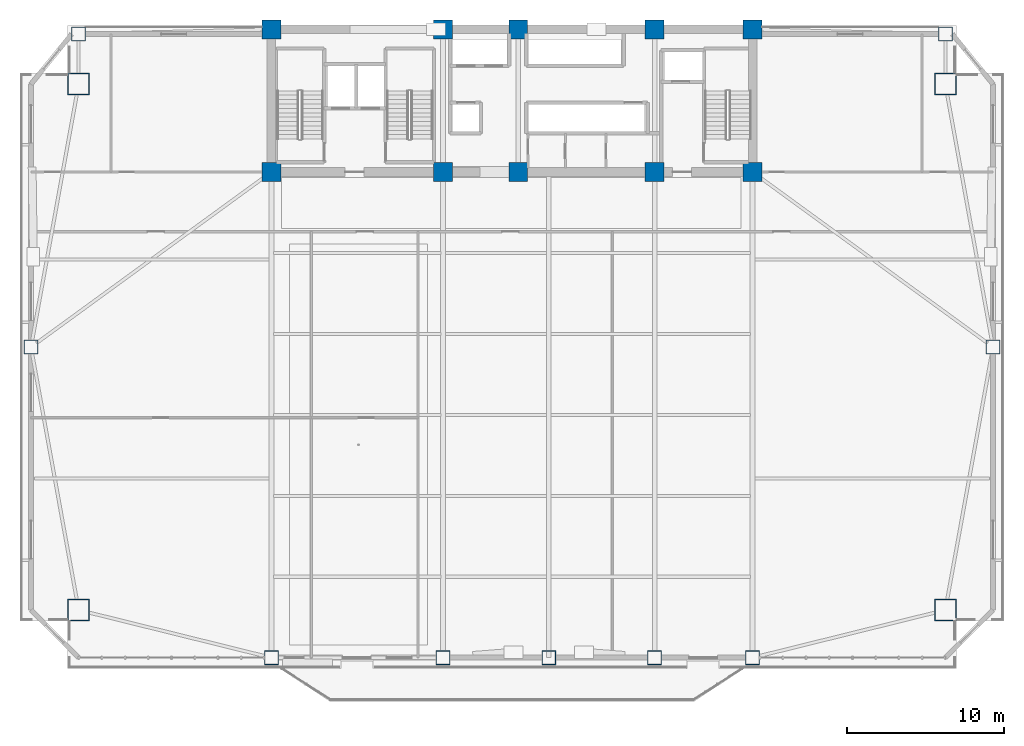
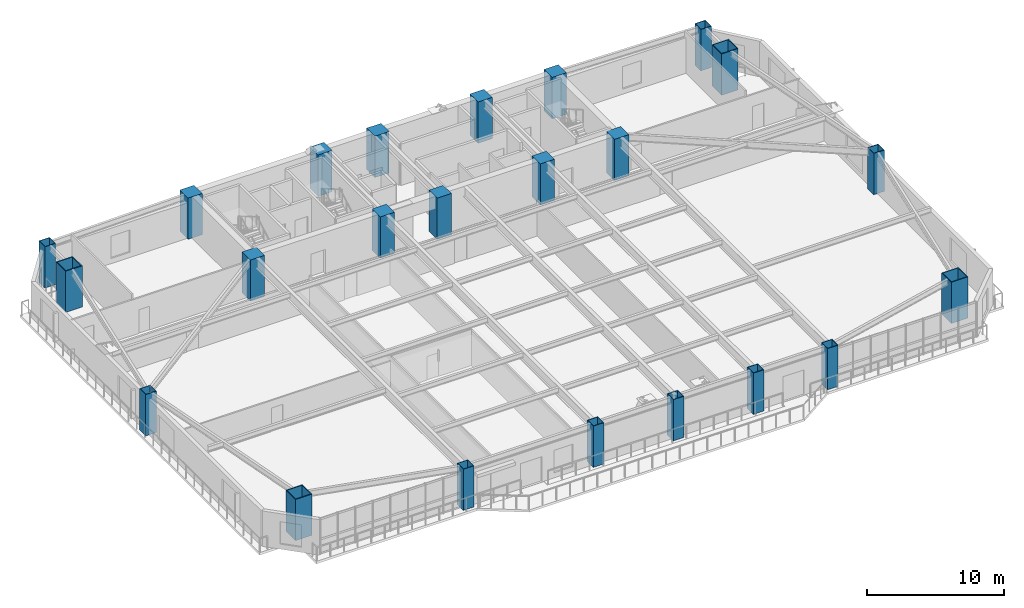
# One storey, part 1 of 15: 23 columns.
"""IFC4 building model written with IfcOpenShell, lengths in metres."""

import ifcopenshell
import ifcopenshell.guid

model = None  # the IFC model being written
_history = None  # IfcOwnerHistory: only IFC2X3 demands one
_inside = {}  # id of a spatial element -> (the spatial element, [elements in it])
_under = {}  # id of a project, library or spatial element -> (it, [spatial elements below it])
_declared = {}  # id of a project -> (the project, [libraries it declares])
_typed = {}  # id of a type object -> (the type object, [elements of that type])
_made_of = {}  # id of a material, layer set ... -> (it, [elements and type objects made of it])


def new_model(schema):
    """Start an empty IFC model of exactly this schema.

    Asked for "IFC4X3", IfcOpenShell would pick the latest addendum, in which some entities
    have other attributes; the version numbers below select the first issue.
    IFC2X3 requires an IfcOwnerHistory on every rooted entity: one is made here for all.
    """
    global model, _history
    if schema == "IFC4X3":
        model = ifcopenshell.file(schema_version=(4, 3, 0, 0))
    else:
        model = ifcopenshell.file(schema=schema)
    _inside.clear()
    _under.clear()
    _declared.clear()
    _typed.clear()
    _made_of.clear()
    _history = None
    if model.schema == "IFC2X3":
        org = make("IfcOrganization", Name="unknown")
        user = make(
            "IfcPersonAndOrganization",
            ThePerson=make("IfcPerson", FamilyName="unknown"),
            TheOrganization=org,
        )
        app = make(
            "IfcApplication",
            ApplicationDeveloper=org,
            Version="unknown",
            ApplicationFullName="unknown",
            ApplicationIdentifier="unknown",
        )
        _history = make(
            "IfcOwnerHistory",
            OwningUser=user,
            OwningApplication=app,
            ChangeAction="ADDED",
            CreationDate=0,
        )
    return model


def make(cls, **values):
    """One entity of the class cls with the attributes given. An attribute that is None is left unset."""
    return model.create_entity(
        cls, **{name: value for name, value in values.items() if value is not None}
    )


def rooted(cls, **values):
    """An entity with a GlobalId (a new one), such as an element, a storey or a relation."""
    return make(cls, GlobalId=ifcopenshell.guid.new(), OwnerHistory=_history, **values)


def si_unit(unit_type, name, prefix=None):
    """IfcSIUnit, for example si_unit("LENGTHUNIT", "METRE", prefix="MILLI")."""
    return make("IfcSIUnit", UnitType=unit_type, Prefix=prefix, Name=name)


def assignment(units):
    """IfcUnitAssignment: the units of a project."""
    return None if units is None else make("IfcUnitAssignment", Units=units)


def point(xyz):
    """IfcCartesianPoint."""
    return None if xyz is None else make("IfcCartesianPoint", Coordinates=xyz)


def direction(xyz):
    """IfcDirection."""
    return None if xyz is None else make("IfcDirection", DirectionRatios=xyz)


def frame(location, z_axis=None, x_axis=None):
    """IfcAxis2Placement3D, a coordinate frame: its origin and axes. An axis left out is left unset."""
    return make(
        "IfcAxis2Placement3D",
        Location=point(location),
        Axis=direction(z_axis),
        RefDirection=direction(x_axis),
    )


def frame_2d(location, x_axis=None):
    """IfcAxis2Placement2D, a coordinate frame in the plane: its origin and x axis."""
    return make(
        "IfcAxis2Placement2D", Location=point(location), RefDirection=direction(x_axis)
    )


def origin():
    """The frame at (0, 0, 0) with its axes left unset."""
    return frame((0.0, 0.0, 0.0))


def origin_2d():
    """The frame at (0, 0) in the plane with its x axis left unset."""
    return frame_2d((0.0, 0.0))


def place(relative_to, where):
    """IfcLocalPlacement: puts the frame where relative to a parent placement (None: the world)."""
    return make(
        "IfcLocalPlacement", PlacementRelTo=relative_to, RelativePlacement=where
    )


def context(
    kind, dimensions, precision=None, world=None, true_north=None, identifier=None
):
    """IfcGeometricRepresentationContext, for example the 3D "Model" context."""
    return make(
        "IfcGeometricRepresentationContext",
        ContextIdentifier=identifier,
        ContextType=kind,
        CoordinateSpaceDimension=dimensions,
        Precision=precision,
        WorldCoordinateSystem=world,
        TrueNorth=true_north,
    )


def subcontext(parent, identifier, kind, view, scale=None):
    """IfcGeometricRepresentationSubContext, for example "Body" below "Model"."""
    return make(
        "IfcGeometricRepresentationSubContext",
        ContextIdentifier=identifier,
        ContextType=kind,
        ParentContext=parent,
        TargetScale=scale,
        TargetView=view,
    )


def project(units=None, contexts=None):
    """IfcProject with its units and contexts."""
    return rooted(
        "IfcProject",
        Name="project",
        RepresentationContexts=contexts,
        UnitsInContext=assignment(units),
    )


def spatial(cls, under=None, at=None, **own):
    """A site, building, storey or space (cls), placed at a placement, below another one or the project."""
    s = rooted(cls, ObjectPlacement=at, **own)
    if under is not None:
        _under.setdefault(under.id(), (under, []))[1].append(s)
    return s


def profile(cls, at=None, kind="AREA", **sizes):
    """A parametric profile (cls). Its sizes go by their IFC names, for example OverallWidth=200.0."""
    return make(cls, ProfileType=kind, Position=at, **sizes)


def rectangle(**sizes):
    """IfcRectangleProfileDef."""
    return profile("IfcRectangleProfileDef", **sizes)


def hollow_rectangle(**sizes):
    """IfcRectangleHollowProfileDef."""
    return profile("IfcRectangleHollowProfileDef", **sizes)


def extrude(swept, where, along, depth):
    """IfcExtrudedAreaSolid: the profile swept, set in the frame where, extruded along a direction by depth."""
    return make(
        "IfcExtrudedAreaSolid",
        SweptArea=swept,
        Position=where,
        ExtrudedDirection=direction(along),
        Depth=depth,
    )


def shape(context_of_items, identifier, shape_type, items):
    """IfcShapeRepresentation: the items that make up one representation, for example the "Body"."""
    return make(
        "IfcShapeRepresentation",
        ContextOfItems=context_of_items,
        RepresentationIdentifier=identifier,
        RepresentationType=shape_type,
        Items=items,
    )


def source(mapping_origin, context_of_items, identifier, shape_type, items):
    """IfcRepresentationMap: a shape defined once, which mapped items show again and again."""
    return make(
        "IfcRepresentationMap",
        MappingOrigin=mapping_origin,
        MappedRepresentation=shape(context_of_items, identifier, shape_type, items),
    )


def transform(
    local_origin,
    x_axis=None,
    y_axis=None,
    z_axis=None,
    scale=None,
    scale2=None,
    scale3=None,
    uniform=True,
):
    """IfcCartesianTransformationOperator3D, or its non-uniform kind. x_axis, y_axis, z_axis: its Axis1, 2, 3."""
    if uniform:
        return make(
            "IfcCartesianTransformationOperator3D",
            Axis1=direction(x_axis),
            Axis2=direction(y_axis),
            LocalOrigin=point(local_origin),
            Scale=scale,
            Axis3=direction(z_axis),
        )
    return make(
        "IfcCartesianTransformationOperator3DnonUniform",
        Axis1=direction(x_axis),
        Axis2=direction(y_axis),
        LocalOrigin=point(local_origin),
        Scale=scale,
        Axis3=direction(z_axis),
        Scale2=scale2,
        Scale3=scale3,
    )


def mapped(mapping_source, mapping_target):
    """IfcMappedItem: shows the shape of a source again, moved by a transform."""
    return make(
        "IfcMappedItem", MappingSource=mapping_source, MappingTarget=mapping_target
    )


def material(Name=None, Category=None):
    """IfcMaterial."""
    return make("IfcMaterial", Name=Name, Category=Category)


def material_profile(
    of_material, cross_section, Name=None, Category=None, Priority=None
):
    """IfcMaterialProfile: a cross section and its material."""
    return make(
        "IfcMaterialProfile",
        Name=Name,
        Material=of_material,
        Profile=cross_section,
        Priority=Priority,
        Category=Category,
    )


def profile_set(profiles, Name=None, composite=None):
    """IfcMaterialProfileSet."""
    return make(
        "IfcMaterialProfileSet",
        Name=Name,
        MaterialProfiles=profiles,
        CompositeProfile=composite,
    )


def made_of(thing, what):
    """Note that an element or type object is made of a material, layer set ...; save() writes the relation."""
    if what is not None:
        _made_of.setdefault(what.id(), (what, []))[1].append(thing)
    return thing


def type_object(cls, material=None, **own):
    """A type object (cls), such as IfcWallType, which elements share."""
    return made_of(rooted(cls, **own), material)


def element(
    cls,
    number,
    at=None,
    inside=None,
    cuts=None,
    type_object=None,
    material=None,
    context=None,
    identifier="Body",
    shape_type=None,
    held_by="IfcProductDefinitionShape",
    body=None,
    shapes=None,
    **own,
):
    """One element of the class cls, such as IfcWall. Its Tag is "e" and its number.

    at: its placement. inside: the storey or other place that contains it. cuts: it is an
    opening in that element (IfcRelVoidsElement). A single representation is given by context,
    identifier, shape_type and body (its items); several are given by shapes. held_by: the class
    of the entity that holds the representations. save() writes the other relations.
    """
    e = rooted(cls, Tag="e%d" % number, ObjectPlacement=at, **own)
    if body is not None:
        shapes = [shape(context, identifier, shape_type, body)]
    if shapes is not None:
        e.Representation = make(held_by, Representations=shapes)
    if inside is not None:
        _inside.setdefault(inside.id(), (inside, []))[1].append(e)
    if cuts is not None:
        rooted(
            "IfcRelVoidsElement", RelatingBuildingElement=cuts, RelatedOpeningElement=e
        )
    if type_object is not None:
        _typed.setdefault(type_object.id(), (type_object, []))[1].append(e)
    return made_of(e, material)


def aggregate(whole, parts):
    """IfcRelAggregates: a whole, such as a stair, and the parts it consists of."""
    return rooted("IfcRelAggregates", RelatingObject=whole, RelatedObjects=parts)


def save(model, path):
    """Write the relations noted so far, then the file.

    IfcRelAggregates (storeys below a building ...), IfcRelContainedInSpatialStructure (elements
    in a storey), IfcRelDefinesByType, IfcRelAssociatesMaterial and IfcRelDeclares: one each for
    every whole, place, type object, material and project.
    """
    for whole, parts in _under.values():
        aggregate(whole, parts)
    for where, things in _inside.values():
        rooted(
            "IfcRelContainedInSpatialStructure",
            RelatedElements=things,
            RelatingStructure=where,
        )
    for kind, things in _typed.values():
        rooted("IfcRelDefinesByType", RelatedObjects=things, RelatingType=kind)
    for what, things in _made_of.values():
        rooted("IfcRelAssociatesMaterial", RelatedObjects=things, RelatingMaterial=what)
    for by, libraries in _declared.values():
        rooted("IfcRelDeclares", RelatingContext=by, RelatedDefinitions=libraries)
    model.write(path)


model = new_model("IFC4")

# Units and contexts
model_context = context("Model", 3, precision=1e-05, world=origin(), true_north=direction((0.0, 1.0)))
body_context = subcontext(model_context, "Body", "Model", "MODEL_VIEW")
ifc_project = project(units=[si_unit("LENGTHUNIT", "METRE"), si_unit("AREAUNIT", "SQUARE_METRE"), si_unit("VOLUMEUNIT", "CUBIC_METRE"), si_unit("PLANEANGLEUNIT", "RADIAN"), si_unit("MASSUNIT", "GRAM", prefix="KILO")], contexts=[model_context])

# Site, building, storey
site_placement = place(None, origin())
site = spatial("IfcSite", under=ifc_project, at=site_placement, CompositionType="ELEMENT")
building_placement = place(site_placement, origin())
building = spatial("IfcBuilding", under=site, at=building_placement, Name="Giltprow Tower", CompositionType="ELEMENT")
storey_placement = place(building_placement, frame((0.0, 0.0, 103.60009765625)))
storey = spatial("IfcBuildingStorey", under=building, at=storey_placement, Name="L25", CompositionType="ELEMENT", Elevation=103.60009765625)

# Columns
ifc_material_1 = material(Name="Concrete C60", Category="concrete")
ifc_material_profile_1 = material_profile(ifc_material_1, rectangle(XDim=1.199951171875, YDim=1.199951171875, at=origin_2d()), Name="RC 1200x1200")
ifc_profile_set_1 = profile_set([ifc_material_profile_1], Name="Concrete C60")
column_type_1 = type_object("IfcColumnType", Name="PIL-RC-1200-C60", PredefinedType="PILASTER", material=ifc_profile_set_1)
shared_shape_1 = source(origin(), body_context, "Body", "SweptSolid", [
    extrude(rectangle(XDim=1.199951171875, YDim=1.199951171875, at=origin_2d()), origin(), (0.0, 0.0, 1.0), 3.679931640625),
])
for number, where, z_axis, x_axis, name in (
    (1, (19.85009765625, 37.449951171875, 0.0), (0.0, 0.0, 1.0), (1.0, 0.0, 0.0), "L25 Core Boundary Pilaster 1-1"),
    (2, (19.85009765625, 46.550048828125, 0.0), (0.0, 0.0, 1.0), (1.0, 0.0, 0.0), "L25 Core Boundary Pilaster 1-2"),
    (3, (30.800048828125, 37.449951171875, 0.0), (0.0, 0.0, 1.0), (1.0, 0.0, 0.0), "L25 Core Boundary Pilaster 2-1"),
    (4, (30.800048828125, 46.550048828125, 0.0), (0.0, 0.0, 1.0), (1.0, 0.0, 0.0), "L25 Core Boundary Pilaster 2-2"),
    (5, (35.60009765625, 37.449951171875, 0.0), (0.0, 0.0, 1.0), (1.0, 0.0, 0.0), "L25 Core Boundary Pilaster 3-1"),
    (6, (35.60009765625, 46.550048828125, 0.0), (0.0, 0.0, 1.0), (1.0, 0.0, 0.0), "L25 Core Boundary Pilaster 3-2"),
    (7, (44.300048828125, 37.449951171875, 0.0), (0.0, 0.0, 1.0), (1.0, 0.0, 0.0), "L25 Core Boundary Pilaster 4-1"),
    (8, (44.300048828125, 46.550048828125, 0.0), (0.0, 0.0, 1.0), (1.0, 0.0, 0.0), "L25 Core Boundary Pilaster 4-2"),
    (9, (50.550048828125, 37.449951171875, 0.0), (0.0, 0.0, 1.0), (1.0, 0.0, 0.0), "L25 Core Boundary Pilaster 5-1"),
    (10, (50.550048828125, 46.550048828125, 0.0), (0.0, 0.0, 1.0), (1.0, 0.0, 0.0), "L25 Core Boundary Pilaster 5-2"),
):
    element("IfcColumn", number, at=place(storey_placement, frame(where, z_axis=z_axis, x_axis=x_axis)), inside=storey, type_object=column_type_1, Name=name, PredefinedType="PILASTER", context=body_context, shape_type="MappedRepresentation", body=[
        mapped(shared_shape_1, transform((0.0, 0.0, 0.0), x_axis=(1.0, 0.0, 0.0), y_axis=(0.0, 1.0, 0.0), z_axis=(0.0, 0.0, 1.0), scale=1.0)),
    ])
ifc_material_2 = material(Name="Structural steel Q420GJC", Category="steel")
ifc_material_profile_2 = material_profile(ifc_material_2, hollow_rectangle(XDim=1.39990234375, YDim=1.39990234375, WallThickness=0.06494140625, at=origin_2d()), Name="BOX 1400x1400x65")
ifc_profile_set_2 = profile_set([ifc_material_profile_2], Name="Structural steel Q420GJC")
column_type_2 = type_object("IfcColumnType", Name="COL-BOX-1400x1400x65", PredefinedType="COLUMN", material=ifc_profile_set_2)
shared_shape_2 = source(origin(), body_context, "Body", "SweptSolid", [
    extrude(hollow_rectangle(XDim=1.39990234375, YDim=1.39990234375, WallThickness=0.06494140625, at=origin_2d()), origin(), (0.0, 0.0, 1.0), 3.679931640625),
])
for number, where, z_axis, x_axis, name in (
    (11, (7.552978515625, 9.5048828125, 0.0), (0.0, 0.0, 1.0), (1.0, 0.0, 0.0), "L25 Mega-Column MC_SW"),
    (12, (62.847900390625, 9.5048828125, 0.0), (0.0, 0.0, 1.0), (1.0, 0.0, 0.0), "L25 Mega-Column MC_SE"),
    (13, (7.552978515625, 43.055908203125, 0.0), (0.0, 0.0, 1.0), (1.0, 0.0, 0.0), "L25 Mega-Column MC_NW"),
    (14, (62.847900390625, 43.055908203125, 0.0), (0.0, 0.0, 1.0), (1.0, 0.0, 0.0), "L25 Mega-Column MC_NE"),
):
    element("IfcColumn", number, at=place(storey_placement, frame(where, z_axis=z_axis, x_axis=x_axis)), inside=storey, type_object=column_type_2, Name=name, PredefinedType="COLUMN", context=body_context, shape_type="MappedRepresentation", body=[
        mapped(shared_shape_2, transform((0.0, 0.0, 0.0), x_axis=(1.0, 0.0, 0.0), y_axis=(0.0, 1.0, 0.0), z_axis=(0.0, 0.0, 1.0), scale=1.0)),
    ])
ifc_material_profile_3 = material_profile(ifc_material_2, hollow_rectangle(XDim=0.89990234375, YDim=0.89990234375, WallThickness=0.0400390625, at=origin_2d()), Name="BOX 900x900x40")
ifc_profile_set_3 = profile_set([ifc_material_profile_3], Name="Structural steel Q420GJC")
column_type_3 = type_object("IfcColumnType", Name="COL-BOX-900x900x40", PredefinedType="COLUMN", material=ifc_profile_set_3)
shared_shape_3 = source(origin(), body_context, "Body", "SweptSolid", [
    extrude(hollow_rectangle(XDim=0.89990234375, YDim=0.89990234375, WallThickness=0.0400390625, at=origin_2d()), origin(), (0.0, 0.0, 1.0), 3.679931640625),
])
for number, where, z_axis, x_axis, name in (
    (15, (19.85009765625, 6.4619140625, 0.0), (0.0, 0.0, 1.0), (1.0, 0.0, 0.0), "L25 Perimeter Column S1"),
    (16, (30.800048828125, 6.4619140625, 0.0), (0.0, 0.0, 1.0), (1.0, 0.0, 0.0), "L25 Perimeter Column S2"),
    (17, (37.550048828125, 6.4619140625, 0.0), (0.0, 0.0, 1.0), (1.0, 0.0, 0.0), "L25 Perimeter Column S_MID"),
    (18, (44.300048828125, 6.4619140625, 0.0), (0.0, 0.0, 1.0), (1.0, 0.0, 0.0), "L25 Perimeter Column S3"),
    (19, (50.550048828125, 6.4619140625, 0.0), (0.0, 0.0, 1.0), (1.0, 0.0, 0.0), "L25 Perimeter Column S4"),
    (20, (4.510009765625, 26.280029296875, 0.0), (0.0, 0.0, 1.0), (1.0, 0.0, 0.0), "L25 Perimeter Column W_MID"),
    (21, (65.89111328125, 26.280029296875, 0.0), (0.0, 0.0, 1.0), (1.0, 0.0, 0.0), "L25 Perimeter Column E_MID"),
    (22, (7.552978515625, 46.25, 0.0), (0.0, 0.0, 1.0), (1.0, 0.0, 0.0), "L25 Perimeter Column N_W"),
    (23, (62.847900390625, 46.25, 0.0), (0.0, 0.0, 1.0), (1.0, 0.0, 0.0), "L25 Perimeter Column N_E"),
):
    element("IfcColumn", number, at=place(storey_placement, frame(where, z_axis=z_axis, x_axis=x_axis)), inside=storey, type_object=column_type_3, Name=name, PredefinedType="COLUMN", context=body_context, shape_type="MappedRepresentation", body=[
        mapped(shared_shape_3, transform((0.0, 0.0, 0.0), x_axis=(1.0, 0.0, 0.0), y_axis=(0.0, 1.0, 0.0), z_axis=(0.0, 0.0, 1.0), scale=1.0)),
    ])

save(model, "model.ifc")
